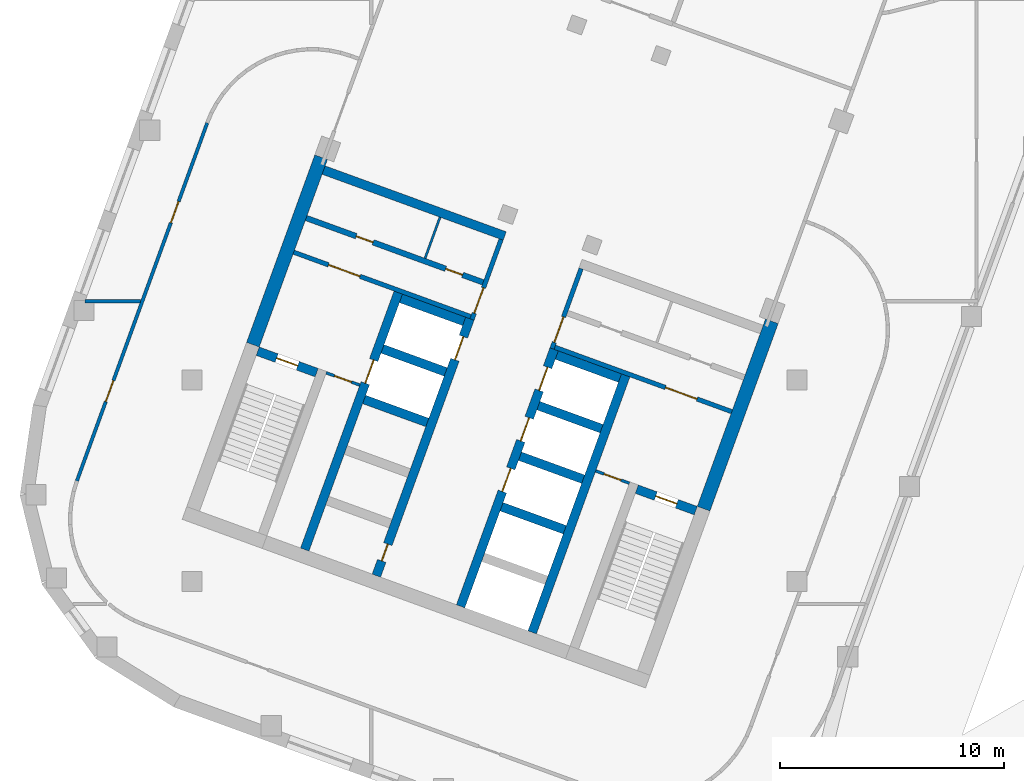
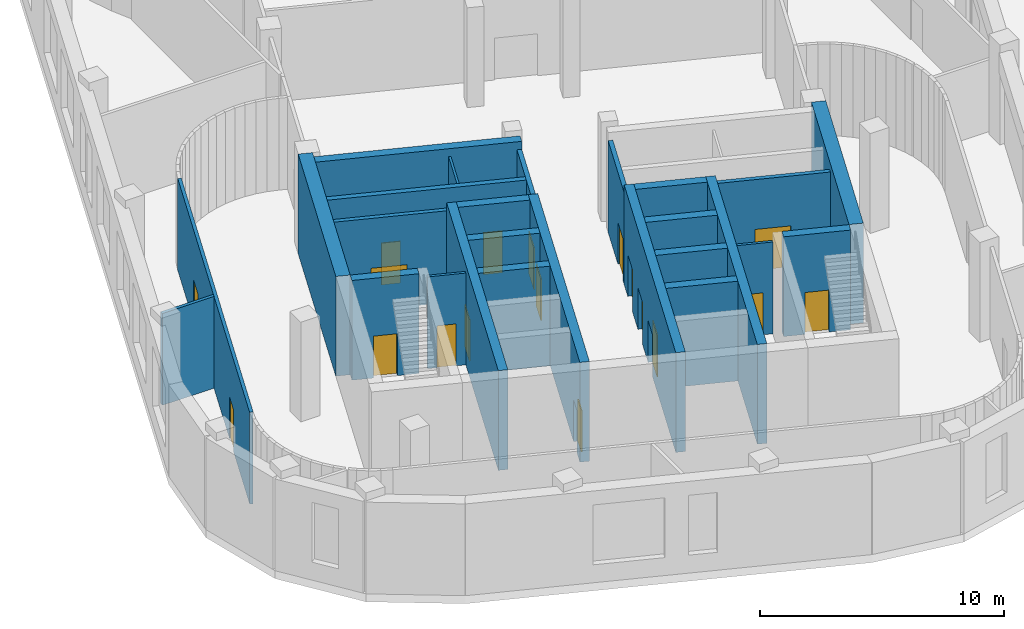
# One storey, part 4 of 20: 26 walls, 18 doors, 18 openings.
"""IFC4 building model written with IfcOpenShell, lengths in metres."""

from ifc_helpers import new_model, si_unit, direction, frame, frame_2d, origin, place, context, subcontext, project, spatial, rectangle, extrude, material, layer, layer_set, type_object, element, fill, save


model = new_model("IFC4")

# Units and contexts
model_context = context("Model", 3, precision=1e-05, world=origin(), true_north=direction((0.0, 1.0)))
body_context = subcontext(model_context, "Body", "Model", "MODEL_VIEW")
ifc_project = project(units=[si_unit("LENGTHUNIT", "METRE"), si_unit("AREAUNIT", "SQUARE_METRE"), si_unit("VOLUMEUNIT", "CUBIC_METRE"), si_unit("PLANEANGLEUNIT", "RADIAN"), si_unit("MASSUNIT", "GRAM", prefix="KILO")], contexts=[model_context])

# Site, building, storey
site_placement = place(None, origin())
site = spatial("IfcSite", under=ifc_project, at=site_placement, CompositionType="ELEMENT")
building_placement = place(site_placement, origin())
building = spatial("IfcBuilding", under=site, at=building_placement, Name="Skarvind Civic Tower", CompositionType="ELEMENT")
storey_placement = place(building_placement, frame((0.0, 0.0, 17.5)))
storey = spatial("IfcBuildingStorey", under=building, at=storey_placement, Name="L03", CompositionType="ELEMENT", Elevation=17.5)

# Wall, opening, door
ifc_material_1 = material(Name="Fire-rated masonry partition", Category="masonry")
ifc_layer_1 = layer(ifc_material_1, 0.199951171875)
ifc_layer_set_1 = layer_set([ifc_layer_1], Name="Core enclosure wall 200")
wall_type_1 = type_object("IfcWallType", Name="Core enclosure wall 200", PredefinedType="PARTITIONING", material=ifc_layer_set_1)
wall_1_placement = place(storey_placement, frame((31.491455078125, 93.693359375, 0.0), z_axis=(0.0, 0.0, 1.0), x_axis=(0.341995824804, 0.939701471648, 0.0)))
wall_1 = element("IfcWall", 1, at=wall_1_placement, inside=storey, type_object=wall_type_1, Name="Core wall C2", PredefinedType="PARTITIONING", context=body_context, shape_type="SweptSolid", body=[
    extrude(rectangle(XDim=3.800048828125, YDim=0.199951171875, at=frame_2d((1.89990234375, 0.0))), origin(), (0.0, 0.0, 1.0), 4.60009765625),
])
opening_1_placement = place(wall_1_placement, frame((0.300048828125, 0.0, 0.0)))
opening_1 = element("IfcOpeningElement", 2, at=opening_1_placement, cuts=wall_1, Name="Opening D-L03-C2-06", PredefinedType="OPENING", context=body_context, shape_type="SweptSolid", body=[
    extrude(rectangle(XDim=1.199951171875, YDim=2.10009765625, at=frame_2d((0.60009765625, 1.050048828125))), frame((0.0, 0.10986328125, 0.0), z_axis=(0.0, -1.0, 0.0), x_axis=(1.0, 0.0, 0.0)), (0.0, 0.0, 1.0), 0.219970703125),
])
ifc_material_2 = material(Name="Fire-rated steel door", Category="steel")
door_type_1 = type_object("IfcDoorType", Name="Core lobby door 1200", OperationType="NOTDEFINED", PredefinedType="DOOR", material=ifc_material_2)
door_1_placement = place(opening_1_placement, origin())
door_1 = element("IfcDoor", 3, at=door_1_placement, inside=storey, type_object=door_type_1, Name="Fire door", OperationType="DOUBLE_DOOR_SINGLE_SWING", OverallHeight=2.10009765625, OverallWidth=1.199951171875, PredefinedType="DOOR", context=body_context, shape_type="SweptSolid", body=[
    extrude(rectangle(XDim=1.199951171875, YDim=2.10009765625, at=frame_2d((0.60009765625, 1.050048828125))), frame((0.0, 0.02490234375, 0.0), z_axis=(0.0, -1.0, 0.0), x_axis=(1.0, 0.0, 0.0)), (0.0, 0.0, 1.0), 0.050048828125),
])
fill(opening_1, door_1)

wall_2_placement = place(storey_placement, frame((23.5380859375, 96.6943359375, 0.0), z_axis=(0.0, 0.0, 1.0), x_axis=(0.939691552312, -0.342023078919, 0.0)))
wall_2 = element("IfcWall", 4, at=wall_2_placement, inside=storey, type_object=wall_type_1, Name="Core wall C2", PredefinedType="PARTITIONING", context=body_context, shape_type="SweptSolid", body=[
    extrude(rectangle(XDim=8.400146484375, YDim=0.199951171875, at=frame_2d((4.2001953125, 0.0))), origin(), (0.0, 0.0, 1.0), 4.60009765625),
])
opening_2_placement = place(wall_2_placement, frame((1.64990234375, 0.0, 0.0)))
opening_2 = element("IfcOpeningElement", 5, at=opening_2_placement, cuts=wall_2, Name="Opening D-L03-C2-07", PredefinedType="OPENING", context=body_context, shape_type="SweptSolid", body=[
    extrude(rectangle(XDim=1.5, YDim=2.10009765625, at=frame_2d((0.75, 1.050048828125))), frame((0.0, 0.10986328125, 0.0), z_axis=(0.0, -1.0, 0.0), x_axis=(1.0, 0.0, 0.0)), (0.0, 0.0, 1.0), 0.219970703125),
])
door_type_2 = type_object("IfcDoorType", Name="Fire door 1500", OperationType="NOTDEFINED", PredefinedType="DOOR", material=ifc_material_2)
door_2_placement = place(opening_2_placement, origin())
door_2 = element("IfcDoor", 6, at=door_2_placement, inside=storey, type_object=door_type_2, Name="Fire door", OperationType="DOUBLE_DOOR_SINGLE_SWING", OverallHeight=2.10009765625, OverallWidth=1.5, PredefinedType="DOOR", context=body_context, shape_type="SweptSolid", body=[
    extrude(rectangle(XDim=1.5, YDim=2.10009765625, at=frame_2d((0.75, 1.050048828125))), frame((0.0, 0.02490234375, 0.0), z_axis=(0.0, -1.0, 0.0), x_axis=(1.0, 0.0, 0.0)), (0.0, 0.0, 1.0), 0.050048828125),
])
fill(opening_2, door_2)

wall_3_placement = place(storey_placement, frame((36.36181640625, 95.96435546875, 0.0), z_axis=(0.0, 0.0, 1.0), x_axis=(-0.341995824804, -0.939701471648, 0.0)))
wall_3 = element("IfcWall", 7, at=wall_3_placement, inside=storey, type_object=wall_type_1, Name="Core wall C2", PredefinedType="PARTITIONING", context=body_context, shape_type="SweptSolid", body=[
    extrude(rectangle(XDim=3.800048828125, YDim=0.199951171875, at=frame_2d((1.89990234375, 0.0))), origin(), (0.0, 0.0, 1.0), 4.60009765625),
])
opening_3_placement = place(wall_3_placement, frame((2.300048828125, 0.0, 0.0)))
opening_3 = element("IfcOpeningElement", 8, at=opening_3_placement, cuts=wall_3, Name="Opening D-L03-C2-12", PredefinedType="OPENING", context=body_context, shape_type="SweptSolid", body=[
    extrude(rectangle(XDim=1.199951171875, YDim=2.10009765625, at=frame_2d((0.60009765625, 1.050048828125))), frame((0.0, 0.10986328125, 0.0), z_axis=(0.0, -1.0, 0.0), x_axis=(1.0, 0.0, 0.0)), (0.0, 0.0, 1.0), 0.219970703125),
])
door_3_placement = place(opening_3_placement, origin())
door_3 = element("IfcDoor", 9, at=door_3_placement, inside=storey, type_object=door_type_1, Name="Fire door", OperationType="DOUBLE_DOOR_SINGLE_SWING", OverallHeight=2.10009765625, OverallWidth=1.199951171875, PredefinedType="DOOR", context=body_context, shape_type="SweptSolid", body=[
    extrude(rectangle(XDim=1.199951171875, YDim=2.10009765625, at=frame_2d((0.60009765625, 1.050048828125))), frame((0.0, 0.02490234375, 0.0), z_axis=(0.0, -1.0, 0.0), x_axis=(1.0, 0.0, 0.0)), (0.0, 0.0, 1.0), 0.050048828125),
])
fill(opening_3, door_3)

wall_4_placement = place(storey_placement, frame((35.1904296875, 92.453369140625, 0.0), z_axis=(0.0, 0.0, 1.0), x_axis=(0.939691552312, -0.342023078919, 0.0)))
wall_4 = element("IfcWall", 10, at=wall_4_placement, inside=storey, type_object=wall_type_1, Name="Core wall C2", PredefinedType="PARTITIONING", context=body_context, shape_type="SweptSolid", body=[
    extrude(rectangle(XDim=8.400146484375, YDim=0.199951171875, at=frame_2d((4.2001953125, 0.0))), origin(), (0.0, 0.0, 1.0), 4.60009765625),
])
opening_4_placement = place(wall_4_placement, frame((5.25, 0.0, 0.0)))
opening_4 = element("IfcOpeningElement", 11, at=opening_4_placement, cuts=wall_4, Name="Opening D-L03-C2-13", PredefinedType="OPENING", context=body_context, shape_type="SweptSolid", body=[
    extrude(rectangle(XDim=1.5, YDim=2.10009765625, at=frame_2d((0.75, 1.050048828125))), frame((0.0, 0.10986328125, 0.0), z_axis=(0.0, -1.0, 0.0), x_axis=(1.0, 0.0, 0.0)), (0.0, 0.0, 1.0), 0.219970703125),
])
door_4_placement = place(opening_4_placement, origin())
door_4 = element("IfcDoor", 12, at=door_4_placement, inside=storey, type_object=door_type_2, Name="Fire door", OperationType="DOUBLE_DOOR_SINGLE_SWING", OverallHeight=2.10009765625, OverallWidth=1.5, PredefinedType="DOOR", context=body_context, shape_type="SweptSolid", body=[
    extrude(rectangle(XDim=1.5, YDim=2.10009765625, at=frame_2d((0.75, 1.050048828125))), frame((0.0, 0.02490234375, 0.0), z_axis=(0.0, -1.0, 0.0), x_axis=(1.0, 0.0, 0.0)), (0.0, 0.0, 1.0), 0.050048828125),
])
fill(opening_4, door_4)

# Wall
ifc_material_3 = material(Name="Fire-rated plasterboard partition")
ifc_layer_2 = layer(ifc_material_3, 0.10009765625)
ifc_layer_set_2 = layer_set([ifc_layer_2], Name="Core partition wall 100")
wall_type_2 = type_object("IfcWallType", Name="Core partition wall 100", PredefinedType="PARTITIONING", material=ifc_layer_set_2)
wall_5_placement = place(storey_placement, frame((29.399169921875, 96.423583984375, 0.0), z_axis=(0.0, 0.0, 1.0), x_axis=(0.341913947243, 0.939731266204, 0.0)))
element("IfcWall", 13, at=wall_5_placement, inside=storey, type_object=wall_type_2, Name="Core wall C2", PredefinedType="PARTITIONING", context=body_context, shape_type="SweptSolid", body=[
    extrude(rectangle(XDim=1.949951171875, YDim=0.10009765625, at=frame_2d((0.97509765625, 0.0))), origin(), (0.0, 0.0, 1.0), 4.60009765625),
])

# Wall, opening, door
ifc_material_4 = material(Name="Concrete C80", Category="concrete")
ifc_layer_3 = layer(ifc_material_4, 0.39990234375)
ifc_layer_set_3 = layer_set([ifc_layer_3], Name="Core wall 400 C80")
wall_type_3 = type_object("IfcWallType", Name="Core wall 400 C80", PredefinedType="SHEAR", material=ifc_layer_set_3)
wall_6_placement = place(storey_placement, frame((41.476318359375, 85.163818359375, 0.0), z_axis=(0.0, 0.0, 1.0), x_axis=(-0.939678810556, 0.342058084236, 0.0)))
wall_6 = element("IfcWall", 14, at=wall_6_placement, inside=storey, type_object=wall_type_3, Name="Core wall C2 south stair end L03", PredefinedType="SHEAR", context=body_context, shape_type="SweptSolid", body=[
    extrude(rectangle(XDim=2.800048828125, YDim=0.39990234375, at=frame_2d((1.39990234375, 0.0))), origin(), (0.0, 0.0, 1.0), 5.0),
])
opening_5_placement = place(wall_6_placement, frame((0.89990234375, 0.0, 0.0)))
opening_5 = element("IfcOpeningElement", 15, at=opening_5_placement, cuts=wall_6, Name="Opening D-L03-C2-14", PredefinedType="OPENING", context=body_context, shape_type="SweptSolid", body=[
    extrude(rectangle(XDim=1.0, YDim=2.10009765625, at=frame_2d((0.5, 1.050048828125))), frame((0.0, 0.2099609375, 0.0), z_axis=(0.0, -1.0, 0.0), x_axis=(1.0, 0.0, 0.0)), (0.0, 0.0, 1.0), 0.419921875),
])
door_type_3 = type_object("IfcDoorType", Name="Fire door 1000", OperationType="NOTDEFINED", PredefinedType="DOOR", material=ifc_material_2)
door_5_placement = place(opening_5_placement, origin())
door_5 = element("IfcDoor", 16, at=door_5_placement, inside=storey, type_object=door_type_3, Name="Fire door", OperationType="SINGLE_SWING_RIGHT", OverallHeight=2.10009765625, OverallWidth=1.0, PredefinedType="DOOR", context=body_context, shape_type="SweptSolid", body=[
    extrude(rectangle(XDim=1.0, YDim=2.10009765625, at=frame_2d((0.5, 1.050048828125))), frame((0.0, 0.02490234375, 0.0), z_axis=(0.0, -1.0, 0.0), x_axis=(1.0, 0.0, 0.0)), (0.0, 0.0, 1.0), 0.050048828125),
])
fill(opening_5, door_5)

wall_7_placement = place(storey_placement, frame((24.56201171875, 91.3203125, 0.0), z_axis=(0.0, 0.0, 1.0), x_axis=(-0.939717030584, 0.341953070509, 0.0)))
wall_7 = element("IfcWall", 17, at=wall_7_placement, inside=storey, type_object=wall_type_3, Name="Core wall C2 north stair end L03", PredefinedType="SHEAR", context=body_context, shape_type="SweptSolid", body=[
    extrude(rectangle(XDim=2.800048828125, YDim=0.39990234375, at=frame_2d((1.39990234375, 0.0))), origin(), (0.0, 0.0, 1.0), 5.0),
])
opening_6_placement = place(wall_7_placement, frame((0.89990234375, 0.0, 0.0)))
opening_6 = element("IfcOpeningElement", 18, at=opening_6_placement, cuts=wall_7, Name="Opening D-L03-C2-08", PredefinedType="OPENING", context=body_context, shape_type="SweptSolid", body=[
    extrude(rectangle(XDim=1.0, YDim=2.10009765625, at=frame_2d((0.5, 1.050048828125))), frame((0.0, 0.2099609375, 0.0), z_axis=(0.0, -1.0, 0.0), x_axis=(1.0, 0.0, 0.0)), (0.0, 0.0, 1.0), 0.419921875),
])
door_6_placement = place(opening_6_placement, origin())
door_6 = element("IfcDoor", 19, at=door_6_placement, inside=storey, type_object=door_type_3, Name="Fire door", OperationType="SINGLE_SWING_LEFT", OverallHeight=2.10009765625, OverallWidth=1.0, PredefinedType="DOOR", context=body_context, shape_type="SweptSolid", body=[
    extrude(rectangle(XDim=1.0, YDim=2.10009765625, at=frame_2d((0.5, 1.050048828125))), frame((0.0, 0.02490234375, 0.0), z_axis=(0.0, -1.0, 0.0), x_axis=(1.0, 0.0, 0.0)), (0.0, 0.0, 1.0), 0.050048828125),
])
fill(opening_6, door_6)

# Wall, openings, doors
wall_8_placement = place(storey_placement, frame((30.983642578125, 80.895263671875, 0.0), z_axis=(0.0, 0.0, 1.0), x_axis=(0.342021021735, 0.939692301071, 0.0)))
wall_8 = element("IfcWall", 20, at=wall_8_placement, inside=storey, type_object=wall_type_3, Name="Core wall C2 south lift row front L03", PredefinedType="SHEAR", context=body_context, shape_type="SweptSolid", body=[
    extrude(rectangle(XDim=12.199951171875, YDim=0.39990234375, at=frame_2d((6.10009765625, 0.0))), origin(), (0.0, 0.0, 1.0), 5.0),
])
opening_7_placement = place(wall_8_placement, frame((5.449951171875, 0.0, 0.0)))
opening_7 = element("IfcOpeningElement", 21, at=opening_7_placement, cuts=wall_8, Name="Opening LD05208", PredefinedType="OPENING", context=body_context, shape_type="SweptSolid", body=[
    extrude(rectangle(XDim=1.10009765625, YDim=2.10009765625, at=frame_2d((0.550048828125, 1.050048828125))), frame((0.0, 0.2099609375, 0.0), z_axis=(0.0, -1.0, 0.0), x_axis=(1.0, 0.0, 0.0)), (0.0, 0.0, 1.0), 0.419921875),
])
opening_8_placement = place(wall_8_placement, frame((7.85009765625, 0.0, 0.0)))
opening_8 = element("IfcOpeningElement", 22, at=opening_8_placement, cuts=wall_8, Name="Opening LD05209", PredefinedType="OPENING", context=body_context, shape_type="SweptSolid", body=[
    extrude(rectangle(XDim=1.10009765625, YDim=2.10009765625, at=frame_2d((0.550048828125, 1.050048828125))), frame((0.0, 0.2099609375, 0.0), z_axis=(0.0, -1.0, 0.0), x_axis=(1.0, 0.0, 0.0)), (0.0, 0.0, 1.0), 0.419921875),
])
opening_9_placement = place(wall_8_placement, frame((10.25, 0.0, 0.0)))
opening_9 = element("IfcOpeningElement", 23, at=opening_9_placement, cuts=wall_8, Name="Opening LD05210", PredefinedType="OPENING", context=body_context, shape_type="SweptSolid", body=[
    extrude(rectangle(XDim=1.10009765625, YDim=2.10009765625, at=frame_2d((0.550048828125, 1.050048828125))), frame((0.0, 0.2099609375, 0.0), z_axis=(0.0, -1.0, 0.0), x_axis=(1.0, 0.0, 0.0)), (0.0, 0.0, 1.0), 0.419921875),
])
ifc_material_5 = material(Name="Stainless steel landing door", Category="steel")
door_type_4 = type_object("IfcDoorType", Name="Lift landing door 1100", OperationType="DOUBLE_DOOR_SLIDING", PredefinedType="DOOR", material=ifc_material_5)
door_7_placement = place(opening_7_placement, origin())
door_7 = element("IfcDoor", 24, at=door_7_placement, inside=storey, type_object=door_type_4, Name="Lift landing door", OperationType="DOUBLE_DOOR_SLIDING", OverallHeight=2.10009765625, OverallWidth=1.10009765625, PredefinedType="DOOR", context=body_context, shape_type="SweptSolid", body=[
    extrude(rectangle(XDim=1.10009765625, YDim=2.10009765625, at=frame_2d((0.550048828125, 1.050048828125))), frame((0.0, 0.02490234375, 0.0), z_axis=(0.0, -1.0, 0.0), x_axis=(1.0, 0.0, 0.0)), (0.0, 0.0, 1.0), 0.050048828125),
])
fill(opening_7, door_7)
door_8_placement = place(opening_8_placement, origin())
door_8 = element("IfcDoor", 25, at=door_8_placement, inside=storey, type_object=door_type_4, Name="Lift landing door", OperationType="DOUBLE_DOOR_SLIDING", OverallHeight=2.10009765625, OverallWidth=1.10009765625, PredefinedType="DOOR", context=body_context, shape_type="SweptSolid", body=[
    extrude(rectangle(XDim=1.10009765625, YDim=2.10009765625, at=frame_2d((0.550048828125, 1.050048828125))), frame((0.0, 0.02490234375, 0.0), z_axis=(0.0, -1.0, 0.0), x_axis=(1.0, 0.0, 0.0)), (0.0, 0.0, 1.0), 0.050048828125),
])
fill(opening_8, door_8)
door_9_placement = place(opening_9_placement, origin())
door_9 = element("IfcDoor", 26, at=door_9_placement, inside=storey, type_object=door_type_4, Name="Lift landing door", OperationType="DOUBLE_DOOR_SLIDING", OverallHeight=2.10009765625, OverallWidth=1.10009765625, PredefinedType="DOOR", context=body_context, shape_type="SweptSolid", body=[
    extrude(rectangle(XDim=1.10009765625, YDim=2.10009765625, at=frame_2d((0.550048828125, 1.050048828125))), frame((0.0, 0.02490234375, 0.0), z_axis=(0.0, -1.0, 0.0), x_axis=(1.0, 0.0, 0.0)), (0.0, 0.0, 1.0), 0.050048828125),
])
fill(opening_9, door_9)

# Walls
wall_9_placement = place(storey_placement, frame((34.178466796875, 79.732177734375, 0.0), z_axis=(0.0, 0.0, 1.0), x_axis=(0.342014590177, 0.939694641948, 0.0)))
element("IfcWall", 27, at=wall_9_placement, inside=storey, type_object=wall_type_3, Name="Core wall C2 south lift row back L03", PredefinedType="SHEAR", context=body_context, shape_type="SweptSolid", body=[
    extrude(rectangle(XDim=12.2001953125, YDim=0.39990234375, at=frame_2d((6.10009765625, 0.0))), origin(), (0.0, 0.0, 1.0), 5.0),
])
for number, where, z_axis, x_axis, name in (
    (28, (35.63232421875, 84.311279296875, 0.0), (0.0, 0.0, 1.0), (-0.939712609717, 0.341965219194, 0.0), "Core wall C2 south lift row division 2 L03"),
    (29, (36.453125, 86.56640625, 0.0), (0.0, 0.0, 1.0), (-0.939686455819, 0.342037080957, 0.0), "Core wall C2 south lift row division 3 L03"),
    (30, (37.27392578125, 88.82177734375, 0.0), (0.0, 0.0, 1.0), (-0.939686455819, 0.342037080957, 0.0), "Core wall C2 south lift row division 4 L03"),
):
    element("IfcWall", number, at=place(storey_placement, frame(where, z_axis=z_axis, x_axis=x_axis)), inside=storey, type_object=wall_type_3, Name=name, PredefinedType="SHEAR", context=body_context, shape_type="SweptSolid", body=[
        extrude(rectangle(XDim=3.0, YDim=0.39990234375, at=frame_2d((1.5, 0.0))), origin(), (0.0, 0.0, 1.0), 5.0),
    ])
wall_10_placement = place(storey_placement, frame((38.0947265625, 91.076904296875, 0.0), z_axis=(0.0, 0.0, 1.0), x_axis=(-0.939676934218, 0.342063238742, 0.0)))
element("IfcWall", 31, at=wall_10_placement, inside=storey, type_object=wall_type_3, Name="Core wall C2 south lift row division 5 L03", PredefinedType="SHEAR", context=body_context, shape_type="SweptSolid", body=[
    extrude(rectangle(XDim=2.999755859375, YDim=0.39990234375, at=frame_2d((1.5, 0.0))), origin(), (0.0, 0.0, 1.0), 5.0),
])

# Wall, openings, doors
wall_11_placement = place(storey_placement, frame((27.224853515625, 82.26318359375, 0.0), z_axis=(0.0, 0.0, 1.0), x_axis=(0.342014590177, 0.939694641948, 0.0)))
wall_11 = element("IfcWall", 32, at=wall_11_placement, inside=storey, type_object=wall_type_3, Name="Core wall C2 north lift row front L03", PredefinedType="SHEAR", context=body_context, shape_type="SweptSolid", body=[
    extrude(rectangle(XDim=12.2001953125, YDim=0.39990234375, at=frame_2d((6.10009765625, 0.0))), origin(), (0.0, 0.0, 1.0), 5.0),
])
opening_10_placement = place(wall_11_placement, frame((10.25, 0.0, 0.0)))
opening_10 = element("IfcOpeningElement", 33, at=opening_10_placement, cuts=wall_11, Name="Opening LD05205", PredefinedType="OPENING", context=body_context, shape_type="SweptSolid", body=[
    extrude(rectangle(XDim=1.10009765625, YDim=2.10009765625, at=frame_2d((0.550048828125, 1.050048828125))), frame((0.0, 0.2099609375, 0.0), z_axis=(0.0, -1.0, 0.0), x_axis=(1.0, 0.0, 0.0)), (0.0, 0.0, 1.0), 0.419921875),
])
opening_11_placement = place(wall_11_placement, frame((0.699951171875, 0.0, 0.0)))
opening_11 = element("IfcOpeningElement", 34, at=opening_11_placement, cuts=wall_11, Name="Opening D-L03-C2-05", PredefinedType="OPENING", context=body_context, shape_type="SweptSolid", body=[
    extrude(rectangle(XDim=0.800048828125, YDim=2.10009765625, at=frame_2d((0.39990234375, 1.050048828125))), frame((0.0, 0.2099609375, 0.0), z_axis=(0.0, -1.0, 0.0), x_axis=(1.0, 0.0, 0.0)), (0.0, 0.0, 1.0), 0.419921875),
])
door_type_5 = type_object("IfcDoorType", Name="Core riser door 800", OperationType="NOTDEFINED", PredefinedType="DOOR", material=ifc_material_2)
door_10_placement = place(opening_11_placement, origin())
door_10 = element("IfcDoor", 35, at=door_10_placement, inside=storey, type_object=door_type_5, Name="Riser door", OperationType="SINGLE_SWING_LEFT", OverallHeight=2.10009765625, OverallWidth=0.800048828125, PredefinedType="DOOR", context=body_context, shape_type="SweptSolid", body=[
    extrude(rectangle(XDim=0.800048828125, YDim=2.10009765625, at=frame_2d((0.39990234375, 1.050048828125))), frame((0.0, 0.02490234375, 0.0), z_axis=(0.0, -1.0, 0.0), x_axis=(1.0, 0.0, 0.0)), (0.0, 0.0, 1.0), 0.050048828125),
])
fill(opening_11, door_10)
door_11_placement = place(opening_10_placement, origin())
door_11 = element("IfcDoor", 36, at=door_11_placement, inside=storey, type_object=door_type_4, Name="Lift landing door", OperationType="DOUBLE_DOOR_SLIDING", OverallHeight=2.10009765625, OverallWidth=1.10009765625, PredefinedType="DOOR", context=body_context, shape_type="SweptSolid", body=[
    extrude(rectangle(XDim=1.10009765625, YDim=2.10009765625, at=frame_2d((0.550048828125, 1.050048828125))), frame((0.0, 0.02490234375, 0.0), z_axis=(0.0, -1.0, 0.0), x_axis=(1.0, 0.0, 0.0)), (0.0, 0.0, 1.0), 0.050048828125),
])
fill(opening_10, door_11)

# Wall, opening, door
wall_12_placement = place(storey_placement, frame((24.02978515625, 83.426025390625, 0.0), z_axis=(0.0, 0.0, 1.0), x_axis=(0.342014590177, 0.939694641948, 0.0)))
wall_12 = element("IfcWall", 37, at=wall_12_placement, inside=storey, type_object=wall_type_3, Name="Core wall C2 north lift row back L03", PredefinedType="SHEAR", context=body_context, shape_type="SweptSolid", body=[
    extrude(rectangle(XDim=12.2001953125, YDim=0.39990234375, at=frame_2d((6.10009765625, 0.0))), origin(), (0.0, 0.0, 1.0), 5.0),
])
opening_12_placement = place(wall_12_placement, frame((7.89990234375, 0.0, 0.0)))
opening_12 = element("IfcOpeningElement", 38, at=opening_12_placement, cuts=wall_12, Name="Opening LD05204", PredefinedType="OPENING", context=body_context, shape_type="SweptSolid", body=[
    extrude(rectangle(XDim=1.10009765625, YDim=2.10009765625, at=frame_2d((0.550048828125, 1.050048828125))), frame((0.0, 0.2099609375, 0.0), z_axis=(0.0, -1.0, 0.0), x_axis=(1.0, 0.0, 0.0)), (0.0, 0.0, 1.0), 0.419921875),
])
door_12_placement = place(opening_12_placement, origin())
door_12 = element("IfcDoor", 39, at=door_12_placement, inside=storey, type_object=door_type_4, Name="Lift landing door", OperationType="DOUBLE_DOOR_SLIDING", OverallHeight=2.10009765625, OverallWidth=1.10009765625, PredefinedType="DOOR", context=body_context, shape_type="SweptSolid", body=[
    extrude(rectangle(XDim=1.10009765625, YDim=2.10009765625, at=frame_2d((0.550048828125, 1.050048828125))), frame((0.0, 0.02490234375, 0.0), z_axis=(0.0, -1.0, 0.0), x_axis=(1.0, 0.0, 0.0)), (0.0, 0.0, 1.0), 0.050048828125),
])
fill(opening_12, door_12)

# Walls
for number, where, z_axis, x_axis, name in (
    (40, (29.49951171875, 89.097412109375, 0.0), (0.0, 0.0, 1.0), (-0.939686455819, 0.342037080957, 0.0), "Core wall C2 north lift row division 3 L03"),
    (41, (30.3203125, 91.352783203125, 0.0), (0.0, 0.0, 1.0), (-0.939712609717, 0.341965219194, 0.0), "Core wall C2 north lift row division 4 L03"),
    (42, (31.14111328125, 93.60791015625, 0.0), (0.0, 0.0, 1.0), (-0.939686455819, 0.342037080957, 0.0), "Core wall C2 north lift row division 5 L03"),
):
    element("IfcWall", number, at=place(storey_placement, frame(where, z_axis=z_axis, x_axis=x_axis)), inside=storey, type_object=wall_type_3, Name=name, PredefinedType="SHEAR", context=body_context, shape_type="SweptSolid", body=[
        extrude(rectangle(XDim=3.0, YDim=0.39990234375, at=frame_2d((1.5, 0.0))), origin(), (0.0, 0.0, 1.0), 5.0),
    ])
wall_13_placement = place(storey_placement, frame((32.953369140625, 97.417724609375, 0.0), z_axis=(0.0, 0.0, 1.0), x_axis=(-0.93969060187, 0.342025690201, 0.0)))
element("IfcWall", 43, at=wall_13_placement, inside=storey, type_object=wall_type_3, Name="Core wall C2 north inner face L03", PredefinedType="SHEAR", context=body_context, shape_type="SweptSolid", body=[
    extrude(rectangle(XDim=8.599853515625, YDim=0.39990234375, at=frame_2d((4.2998046875, 0.0))), origin(), (0.0, 0.0, 1.0), 5.0),
])
ifc_layer_4 = layer(ifc_material_4, 0.60009765625)
ifc_layer_set_4 = layer_set([ifc_layer_4], Name="Core wall 600 C80")
wall_type_4 = type_object("IfcWallType", Name="Core wall 600 C80", PredefinedType="SHEAR", material=ifc_layer_set_4)
for number, where, z_axis, x_axis, name in (
    (44, (41.82666015625, 85.249267578125, 0.0), (0.0, 0.0, 1.0), (0.342016162452, 0.939694069696, 0.0), "Core wall C2 south side L03"),
    (45, (21.71728515625, 92.568359375, 0.0), (0.0, 0.0, 1.0), (0.342016162452, 0.939694069696, 0.0), "Core wall C2 north side L03"),
):
    element("IfcWall", number, at=place(storey_placement, frame(where, z_axis=z_axis, x_axis=x_axis)), inside=storey, type_object=wall_type_4, Name=name, PredefinedType="SHEAR", context=body_context, shape_type="SweptSolid", body=[
        extrude(rectangle(XDim=8.89990234375, YDim=0.60009765625, at=frame_2d((4.449951171875, 0.0))), origin(), (0.0, 0.0, 1.0), 5.0),
    ])

# Wall, openings, doors
ifc_material_6 = material(Name="Plasterboard partition on steel studs", Category="steel")
ifc_layer_5 = layer(ifc_material_6, 0.14990234375)
ifc_layer_set_5 = layer_set([ifc_layer_5], Name="PARTITION 150")
wall_type_5 = type_object("IfcWallType", Name="PARTITION 150", PredefinedType="PARTITIONING", material=ifc_layer_set_5)
wall_14_placement = place(storey_placement, frame((13.863037109375, 86.486083984375, 0.0), z_axis=(0.0, 0.0, 1.0), x_axis=(0.342040480313, 0.939685218478, 0.0)))
wall_14 = element("IfcWall", 46, at=wall_14_placement, inside=storey, type_object=wall_type_5, Name="Podium partition L03 010", PredefinedType="PARTITIONING", context=body_context, shape_type="SweptSolid", body=[
    extrude(rectangle(XDim=17.003662109375, YDim=0.14990234375, at=frame_2d((8.501953125, 0.0))), origin(), (0.0, 0.0, 1.0), 4.60009765625),
])
opening_13_placement = place(wall_14_placement, frame((3.76708984375, 0.0, 0.0)))
opening_13 = element("IfcOpeningElement", 47, at=opening_13_placement, cuts=wall_14, Name="Opening L03-D201", PredefinedType="OPENING", context=body_context, shape_type="SweptSolid", body=[
    extrude(rectangle(XDim=1.0, YDim=2.10009765625, at=frame_2d((0.5, 1.050048828125))), frame((0.0, 0.0849609375, 0.0), z_axis=(0.0, -1.0, 0.0), x_axis=(1.0, 0.0, 0.0)), (0.0, 0.0, 1.0), 0.169921875),
])
opening_14_placement = place(wall_14_placement, frame((12.262939453125, 0.0, 0.0)))
opening_14 = element("IfcOpeningElement", 48, at=opening_14_placement, cuts=wall_14, Name="Opening L03-D202", PredefinedType="OPENING", context=body_context, shape_type="SweptSolid", body=[
    extrude(rectangle(XDim=1.0, YDim=2.10009765625, at=frame_2d((0.5, 1.050048828125))), frame((0.0, 0.0849609375, 0.0), z_axis=(0.0, -1.0, 0.0), x_axis=(1.0, 0.0, 0.0)), (0.0, 0.0, 1.0), 0.169921875),
])
ifc_material_7 = material(Name="Timber veneer door leaf", Category="wood")
door_type_6 = type_object("IfcDoorType", Name="DOOR 1000X2100 TIMBER", OperationType="NOTDEFINED", PredefinedType="DOOR", material=ifc_material_7)
door_13_placement = place(opening_13_placement, origin())
door_13 = element("IfcDoor", 49, at=door_13_placement, inside=storey, type_object=door_type_6, Name="DOOR DOOR", OperationType="SINGLE_SWING_LEFT", OverallHeight=2.10009765625, OverallWidth=1.0, PredefinedType="DOOR", context=body_context, shape_type="SweptSolid", body=[
    extrude(rectangle(XDim=1.0, YDim=2.10009765625, at=frame_2d((0.5, 1.050048828125))), frame((0.0, 0.02490234375, 0.0), z_axis=(0.0, -1.0, 0.0), x_axis=(1.0, 0.0, 0.0)), (0.0, 0.0, 1.0), 0.050048828125),
])
fill(opening_13, door_13)
door_14_placement = place(opening_14_placement, origin())
door_14 = element("IfcDoor", 50, at=door_14_placement, inside=storey, type_object=door_type_6, Name="DOOR DOOR", OperationType="SINGLE_SWING_RIGHT", OverallHeight=2.10009765625, OverallWidth=1.0, PredefinedType="DOOR", context=body_context, shape_type="SweptSolid", body=[
    extrude(rectangle(XDim=1.0, YDim=2.10009765625, at=frame_2d((0.5, 1.050048828125))), frame((0.0, 0.02490234375, 0.0), z_axis=(0.0, -1.0, 0.0), x_axis=(1.0, 0.0, 0.0)), (0.0, 0.0, 1.0), 0.050048828125),
])
fill(opening_14, door_14)

# Wall
wall_15_placement = place(storey_placement, frame((14.22607421875, 94.5, 0.0), z_axis=(0.0, 0.0, 1.0), x_axis=(1.0, 0.0, 0.0)))
element("IfcWall", 51, at=wall_15_placement, inside=storey, type_object=wall_type_5, Name="Podium partition L03 012", PredefinedType="PARTITIONING", context=body_context, shape_type="SweptSolid", body=[
    extrude(rectangle(XDim=2.473876953125, YDim=0.14990234375, at=frame_2d((1.23681640625, 0.0))), origin(), (0.0, 0.0, 1.0), 4.60009765625),
])

# Wall, opening, door
ifc_layer_6 = layer(ifc_material_1, 0.125)
ifc_layer_set_6 = layer_set([ifc_layer_6], Name="Riser wall 125")
wall_type_6 = type_object("IfcWallType", Name="Riser wall 125", PredefinedType="PARTITIONING", material=ifc_layer_set_6)
wall_16_placement = place(storey_placement, frame((24.98486328125, 91.3125, 0.0), z_axis=(0.0, 0.0, 1.0), x_axis=(0.939708740826, -0.341975850632, 0.0)))
wall_16 = element("IfcWall", 52, at=wall_16_placement, inside=storey, type_object=wall_type_6, Name="Core wall C2", PredefinedType="PARTITIONING", context=body_context, shape_type="SweptSolid", body=[
    extrude(rectangle(XDim=1.599853515625, YDim=0.125, at=frame_2d((0.7998046875, 0.0))), origin(), (0.0, 0.0, 1.0), 4.60009765625),
])
opening_15_placement = place(wall_16_placement, frame((0.39990234375, 0.0, 0.0)))
opening_15 = element("IfcOpeningElement", 53, at=opening_15_placement, cuts=wall_16, Name="Opening D-L03-C2-09", PredefinedType="OPENING", context=body_context, shape_type="SweptSolid", body=[
    extrude(rectangle(XDim=0.800048828125, YDim=2.10009765625, at=frame_2d((0.39990234375, 1.050048828125))), frame((0.0, 0.072509765625, 0.0), z_axis=(0.0, -1.0, 0.0), x_axis=(1.0, 0.0, 0.0)), (0.0, 0.0, 1.0), 0.14501953125),
])
door_15_placement = place(opening_15_placement, origin())
door_15 = element("IfcDoor", 54, at=door_15_placement, inside=storey, type_object=door_type_5, Name="Riser door", OperationType="SINGLE_SWING_RIGHT", OverallHeight=2.10009765625, OverallWidth=0.800048828125, PredefinedType="DOOR", context=body_context, shape_type="SweptSolid", body=[
    extrude(rectangle(XDim=0.800048828125, YDim=2.10009765625, at=frame_2d((0.39990234375, 1.050048828125))), frame((0.0, 0.02490234375, 0.0), z_axis=(0.0, -1.0, 0.0), x_axis=(1.0, 0.0, 0.0)), (0.0, 0.0, 1.0), 0.050048828125),
])
fill(opening_15, door_15)

wall_17_placement = place(storey_placement, frame((37.012939453125, 86.934814453125, 0.0), z_axis=(0.0, 0.0, 1.0), x_axis=(0.939659694648, -0.342110593602, 0.0)))
wall_17 = element("IfcWall", 55, at=wall_17_placement, inside=storey, type_object=wall_type_6, Name="Core wall C2", PredefinedType="PARTITIONING", context=body_context, shape_type="SweptSolid", body=[
    extrude(rectangle(XDim=1.599853515625, YDim=0.125, at=frame_2d((0.7998046875, 0.0))), origin(), (0.0, 0.0, 1.0), 4.60009765625),
])
opening_16_placement = place(wall_17_placement, frame((0.39990234375, 0.0, 0.0)))
opening_16 = element("IfcOpeningElement", 56, at=opening_16_placement, cuts=wall_17, Name="Opening D-L03-C2-15", PredefinedType="OPENING", context=body_context, shape_type="SweptSolid", body=[
    extrude(rectangle(XDim=0.800048828125, YDim=2.10009765625, at=frame_2d((0.39990234375, 1.050048828125))), frame((0.0, 0.072509765625, 0.0), z_axis=(0.0, -1.0, 0.0), x_axis=(1.0, 0.0, 0.0)), (0.0, 0.0, 1.0), 0.14501953125),
])
door_16_placement = place(opening_16_placement, origin())
door_16 = element("IfcDoor", 57, at=door_16_placement, inside=storey, type_object=door_type_5, Name="Riser door", OperationType="SINGLE_SWING_LEFT", OverallHeight=2.10009765625, OverallWidth=0.800048828125, PredefinedType="DOOR", context=body_context, shape_type="SweptSolid", body=[
    extrude(rectangle(XDim=0.800048828125, YDim=2.10009765625, at=frame_2d((0.39990234375, 1.050048828125))), frame((0.0, 0.02490234375, 0.0), z_axis=(0.0, -1.0, 0.0), x_axis=(1.0, 0.0, 0.0)), (0.0, 0.0, 1.0), 0.050048828125),
])
fill(opening_16, door_16)

# Wall, openings, doors
ifc_layer_7 = layer(ifc_material_1, 0.25)
ifc_layer_set_7 = layer_set([ifc_layer_7], Name="Service block wall 250")
wall_type_7 = type_object("IfcWallType", Name="Service block wall 250", PredefinedType="PARTITIONING", material=ifc_layer_set_7)
wall_18_placement = place(storey_placement, frame((24.093994140625, 98.221435546875, 0.0), z_axis=(0.0, 0.0, 1.0), x_axis=(0.939691552312, -0.342023078919, 0.0)))
wall_18 = element("IfcWall", 58, at=wall_18_placement, inside=storey, type_object=wall_type_7, Name="Core wall C2", PredefinedType="PARTITIONING", context=body_context, shape_type="SweptSolid", body=[
    extrude(rectangle(XDim=8.400146484375, YDim=0.25, at=frame_2d((4.2001953125, 0.0))), origin(), (0.0, 0.0, 1.0), 4.60009765625),
])
opening_17_placement = place(wall_18_placement, frame((6.625, 0.0, 0.0)))
opening_17 = element("IfcOpeningElement", 59, at=opening_17_placement, cuts=wall_18, Name="Opening D-L03-C2-10", PredefinedType="OPENING", context=body_context, shape_type="SweptSolid", body=[
    extrude(rectangle(XDim=0.800048828125, YDim=2.10009765625, at=frame_2d((0.39990234375, 1.050048828125))), frame((0.0, 0.135009765625, 0.0), z_axis=(0.0, -1.0, 0.0), x_axis=(1.0, 0.0, 0.0)), (0.0, 0.0, 1.0), 0.27001953125),
])
opening_18_placement = place(wall_18_placement, frame((2.375, 0.0, 0.0)))
opening_18 = element("IfcOpeningElement", 60, at=opening_18_placement, cuts=wall_18, Name="Opening D-L03-C2-11", PredefinedType="OPENING", context=body_context, shape_type="SweptSolid", body=[
    extrude(rectangle(XDim=0.800048828125, YDim=2.10009765625, at=frame_2d((0.39990234375, 1.050048828125))), frame((0.0, 0.135009765625, 0.0), z_axis=(0.0, -1.0, 0.0), x_axis=(1.0, 0.0, 0.0)), (0.0, 0.0, 1.0), 0.27001953125),
])
door_17_placement = place(opening_17_placement, origin())
door_17 = element("IfcDoor", 61, at=door_17_placement, inside=storey, type_object=door_type_5, Name="Riser door", OperationType="SINGLE_SWING_LEFT", OverallHeight=2.10009765625, OverallWidth=0.800048828125, PredefinedType="DOOR", context=body_context, shape_type="SweptSolid", body=[
    extrude(rectangle(XDim=0.800048828125, YDim=2.10009765625, at=frame_2d((0.39990234375, 1.050048828125))), frame((0.0, 0.02490234375, 0.0), z_axis=(0.0, -1.0, 0.0), x_axis=(1.0, 0.0, 0.0)), (0.0, 0.0, 1.0), 0.050048828125),
])
fill(opening_17, door_17)
door_18_placement = place(opening_18_placement, origin())
door_18 = element("IfcDoor", 62, at=door_18_placement, inside=storey, type_object=door_type_5, Name="Riser door", OperationType="SINGLE_SWING_RIGHT", OverallHeight=2.10009765625, OverallWidth=0.800048828125, PredefinedType="DOOR", context=body_context, shape_type="SweptSolid", body=[
    extrude(rectangle(XDim=0.800048828125, YDim=2.10009765625, at=frame_2d((0.39990234375, 1.050048828125))), frame((0.0, 0.02490234375, 0.0), z_axis=(0.0, -1.0, 0.0), x_axis=(1.0, 0.0, 0.0)), (0.0, 0.0, 1.0), 0.050048828125),
])
fill(opening_18, door_18)

save(model, "model.ifc")
